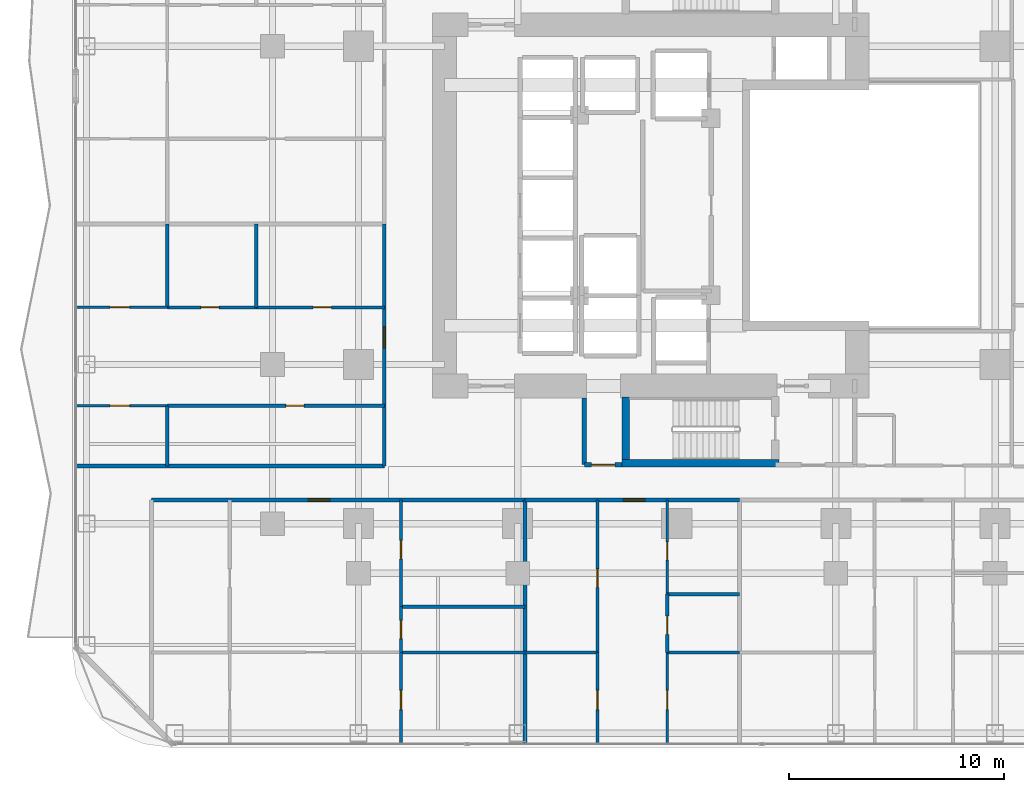
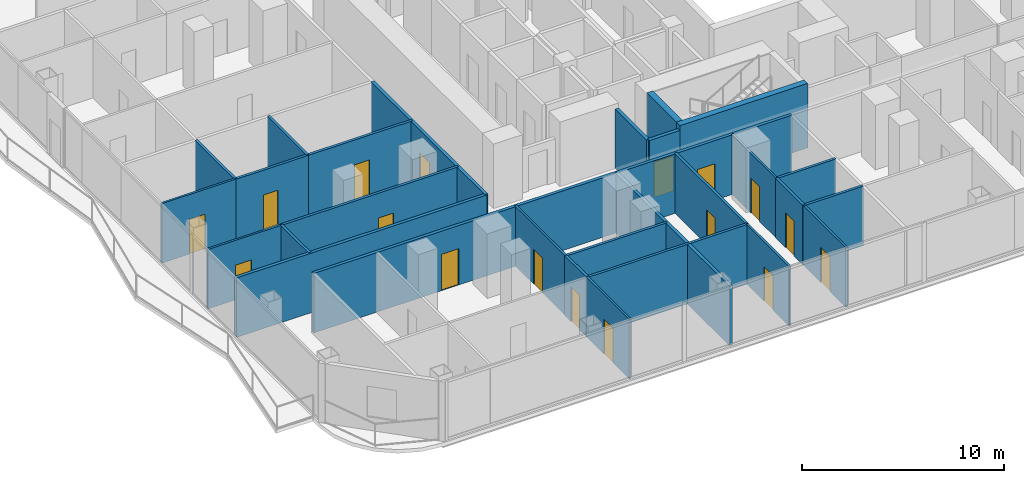
# One storey, part 19 of 29: 30 walls, 17 doors, 17 openings.
"""IFC4 building model written with IfcOpenShell, lengths in metres."""

from ifc_helpers import new_model, si_unit, direction, frame, frame_2d, origin, place, context, subcontext, project, spatial, rectangle, extrude, material, layer, layer_set, type_object, element, fill, save


model = new_model("IFC4")

# Units and contexts
model_context = context("Model", 3, precision=1e-05, world=origin(), true_north=direction((0.0, 1.0)))
body_context = subcontext(model_context, "Body", "Model", "MODEL_VIEW")
ifc_project = project(units=[si_unit("LENGTHUNIT", "METRE"), si_unit("AREAUNIT", "SQUARE_METRE"), si_unit("VOLUMEUNIT", "CUBIC_METRE"), si_unit("PLANEANGLEUNIT", "RADIAN"), si_unit("MASSUNIT", "GRAM", prefix="KILO")], contexts=[model_context])

# Site, building, storey
site_placement = place(None, origin())
site = spatial("IfcSite", under=ifc_project, at=site_placement, CompositionType="ELEMENT")
building_placement = place(site_placement, origin())
building = spatial("IfcBuilding", under=site, at=building_placement, Name="Khorvyn Point Tower", CompositionType="ELEMENT")
storey_placement = place(building_placement, frame((0.0, 0.0, 73.5)))
storey = spatial("IfcBuildingStorey", under=building, at=storey_placement, Name="L19", CompositionType="ELEMENT", Elevation=73.5)

# Wall, opening, door
ifc_material_1 = material(Name="Double acoustic gypsum on twin steel stud", Category="steel")
ifc_layer_1 = layer(ifc_material_1, 0.179931640625)
ifc_layer_set_1 = layer_set([ifc_layer_1], Name="Acoustic Double-Stud Apartment Demising Wall 180")
wall_type_1 = type_object("IfcWallType", Name="Acoustic Double-Stud Apartment Demising Wall 180", PredefinedType="PARTITIONING", material=ifc_layer_set_1)
wall_1_placement = place(storey_placement, frame((-24.419921875, -13.699951171875, 0.0), z_axis=(0.0, 0.0, 1.0), x_axis=(1.0, 0.0, 0.0)))
wall_1 = element("IfcWall", 1, at=wall_1_placement, inside=storey, type_object=wall_type_1, Name="Wall", PredefinedType="PARTITIONING", context=body_context, shape_type="SweptSolid", body=[
    extrude(rectangle(XDim=17.35888671875, YDim=0.179931640625, at=frame_2d((8.679443359375, 0.0))), origin(), (0.0, 0.0, 1.0), 3.60009765625),
])
opening_1_placement = place(wall_1_placement, frame((7.288330078125, 0.0, 0.0)))
opening_1 = element("IfcOpeningElement", 2, at=opening_1_placement, cuts=wall_1, Name="Opening ID-AP60", PredefinedType="OPENING", context=body_context, shape_type="SweptSolid", body=[
    extrude(rectangle(XDim=1.0, YDim=2.199951171875, at=frame_2d((0.5, 1.10009765625))), frame((0.0, 0.099853515625, 0.0), z_axis=(0.0, -1.0, 0.0), x_axis=(1.0, 0.0, 0.0)), (0.0, 0.0, 1.0), 0.199951171875),
])
ifc_material_2 = material(Name="Engineered hardwood fire-rated leaf", Category="wood")
door_type_1 = type_object("IfcDoorType", Name="Acoustic Solid-Core Timber Apartment Entrance Door 1000x2200", OperationType="NOTDEFINED", PredefinedType="DOOR", material=ifc_material_2)
door_1_placement = place(opening_1_placement, origin())
door_1 = element("IfcDoor", 3, at=door_1_placement, inside=storey, type_object=door_type_1, Name="Door", OperationType="SINGLE_SWING_RIGHT", OverallHeight=2.199951171875, OverallWidth=1.0, PredefinedType="DOOR", context=body_context, shape_type="SweptSolid", body=[
    extrude(rectangle(XDim=1.0, YDim=2.199951171875, at=frame_2d((0.5, 1.10009765625))), frame((0.0, 0.02490234375, 0.0), z_axis=(0.0, -1.0, 0.0), x_axis=(1.0, 0.0, 0.0)), (0.0, 0.0, 1.0), 0.050048828125),
])
fill(opening_1, door_1)

wall_2_placement = place(storey_placement, frame((-7.06103515625, -13.699951171875, 0.0), z_axis=(0.0, 0.0, 1.0), x_axis=(1.0, 0.0, 0.0)))
wall_2 = element("IfcWall", 4, at=wall_2_placement, inside=storey, type_object=wall_type_1, Name="Wall", PredefinedType="PARTITIONING", context=body_context, shape_type="SweptSolid", body=[
    extrude(rectangle(XDim=9.97900390625, YDim=0.179931640625, at=frame_2d((4.989501953125, 0.0))), origin(), (0.0, 0.0, 1.0), 3.60009765625),
])
opening_2_placement = place(wall_2_placement, frame((4.577880859375, 0.0, 0.0)))
opening_2 = element("IfcOpeningElement", 5, at=opening_2_placement, cuts=wall_2, Name="Opening ID-AP60", PredefinedType="OPENING", context=body_context, shape_type="SweptSolid", body=[
    extrude(rectangle(XDim=1.0, YDim=2.199951171875, at=frame_2d((0.5, 1.10009765625))), frame((0.0, 0.099853515625, 0.0), z_axis=(0.0, -1.0, 0.0), x_axis=(1.0, 0.0, 0.0)), (0.0, 0.0, 1.0), 0.199951171875),
])
door_2_placement = place(opening_2_placement, origin())
door_2 = element("IfcDoor", 6, at=door_2_placement, inside=storey, type_object=door_type_1, Name="Door", OperationType="SINGLE_SWING_LEFT", OverallHeight=2.199951171875, OverallWidth=1.0, PredefinedType="DOOR", context=body_context, shape_type="SweptSolid", body=[
    extrude(rectangle(XDim=1.0, YDim=2.199951171875, at=frame_2d((0.5, 1.10009765625))), frame((0.0, 0.02490234375, 0.0), z_axis=(0.0, -1.0, 0.0), x_axis=(1.0, 0.0, 0.0)), (0.0, 0.0, 1.0), 0.050048828125),
])
fill(opening_2, door_2)

wall_3_placement = place(storey_placement, frame((-13.60009765625, -12.1201171875, 0.0), z_axis=(0.0, 0.0, 1.0), x_axis=(0.0, 1.0, 0.0)))
wall_3 = element("IfcWall", 7, at=wall_3_placement, inside=storey, type_object=wall_type_1, Name="Wall", PredefinedType="PARTITIONING", context=body_context, shape_type="SweptSolid", body=[
    extrude(rectangle(XDim=11.2470703125, YDim=0.179931640625, at=frame_2d((5.62353515625, 0.0))), origin(), (0.0, 0.0, 1.0), 3.60009765625),
])
opening_3_placement = place(wall_3_placement, frame((5.47802734375, 0.0, 0.0)))
opening_3 = element("IfcOpeningElement", 8, at=opening_3_placement, cuts=wall_3, Name="Opening ID-AP60", PredefinedType="OPENING", context=body_context, shape_type="SweptSolid", body=[
    extrude(rectangle(XDim=1.0, YDim=2.199951171875, at=frame_2d((0.5, 1.10009765625))), frame((0.0, 0.099853515625, 0.0), z_axis=(0.0, -1.0, 0.0), x_axis=(1.0, 0.0, 0.0)), (0.0, 0.0, 1.0), 0.199951171875),
])
door_3_placement = place(opening_3_placement, origin())
door_3 = element("IfcDoor", 9, at=door_3_placement, inside=storey, type_object=door_type_1, Name="Door", OperationType="SINGLE_SWING_LEFT", OverallHeight=2.199951171875, OverallWidth=1.0, PredefinedType="DOOR", context=body_context, shape_type="SweptSolid", body=[
    extrude(rectangle(XDim=1.0, YDim=2.199951171875, at=frame_2d((0.5, 1.10009765625))), frame((0.0, 0.02490234375, 0.0), z_axis=(0.0, -1.0, 0.0), x_axis=(1.0, 0.0, 0.0)), (0.0, 0.0, 1.0), 0.050048828125),
])
fill(opening_3, door_3)

# Walls
wall_4_placement = place(storey_placement, frame((-7.06103515625, -25.030029296875, 0.0), z_axis=(0.0, 0.0, 1.0), x_axis=(0.0, 1.0, 0.0)))
element("IfcWall", 10, at=wall_4_placement, inside=storey, type_object=wall_type_1, Name="Wall", PredefinedType="PARTITIONING", context=body_context, shape_type="SweptSolid", body=[
    extrude(rectangle(XDim=11.330078125, YDim=0.179931640625, at=frame_2d((5.6650390625, 0.0))), origin(), (0.0, 0.0, 1.0), 3.60009765625),
])
wall_5_placement = place(storey_placement, frame((-27.929931640625, -12.1201171875, 0.0), z_axis=(0.0, 0.0, 1.0), x_axis=(1.0, 0.0, 0.0)))
element("IfcWall", 11, at=wall_5_placement, inside=storey, type_object=wall_type_1, Name="Wall", PredefinedType="PARTITIONING", context=body_context, shape_type="SweptSolid", body=[
    extrude(rectangle(XDim=14.329833984375, YDim=0.179931640625, at=frame_2d((7.1650390625, 0.0))), origin(), (0.0, 0.0, 1.0), 3.60009765625),
])

# Wall, opening, door
ifc_material_3 = material(Name="Concrete C40/50", Category="concrete")
ifc_layer_2 = layer(ifc_material_3, 0.199951171875)
ifc_layer_set_2 = layer_set([ifc_layer_2], Name="Concrete C40/50 Fire-Lobby Compartment Wall 200")
wall_type_2 = type_object("IfcWallType", Name="Concrete C40/50 Fire-Lobby Compartment Wall 200", PredefinedType="SOLIDWALL", material=ifc_layer_set_2)
wall_6_placement = place(storey_placement, frame((-4.300048828125, -12.06005859375, 0.0), z_axis=(0.0, 0.0, 1.0), x_axis=(1.0, 0.0, 0.0)))
wall_6 = element("IfcWall", 12, at=wall_6_placement, inside=storey, type_object=wall_type_2, Name="Wall", PredefinedType="SOLIDWALL", context=body_context, shape_type="SweptSolid", body=[
    extrude(rectangle(XDim=1.75, YDim=0.199951171875, at=frame_2d((0.875, 0.0))), origin(), (0.0, 0.0, 1.0), 3.60009765625),
])
opening_4_placement = place(wall_6_placement, frame((0.324951171875, 0.0, 0.0)))
opening_4 = element("IfcOpeningElement", 13, at=opening_4_placement, cuts=wall_6, Name="Opening ID-FL90", PredefinedType="OPENING", context=body_context, shape_type="SweptSolid", body=[
    extrude(rectangle(XDim=1.10009765625, YDim=2.14990234375, at=frame_2d((0.550048828125, 1.074951171875))), frame((0.0, 0.10986328125, 0.0), z_axis=(0.0, -1.0, 0.0), x_axis=(1.0, 0.0, 0.0)), (0.0, 0.0, 1.0), 0.219970703125),
])
ifc_material_4 = material(Name="Galvanised powder-coated steel", Category="steel")
door_type_2 = type_object("IfcDoorType", Name="Fire-Rated Steel Lobby and Stair Door 1100x2150", OperationType="NOTDEFINED", PredefinedType="DOOR", material=ifc_material_4)
door_4_placement = place(opening_4_placement, origin())
door_4 = element("IfcDoor", 14, at=door_4_placement, inside=storey, type_object=door_type_2, Name="Door", OperationType="SINGLE_SWING_RIGHT", OverallHeight=2.14990234375, OverallWidth=1.10009765625, PredefinedType="DOOR", context=body_context, shape_type="SweptSolid", body=[
    extrude(rectangle(XDim=1.10009765625, YDim=2.14990234375, at=frame_2d((0.550048828125, 1.074951171875))), frame((0.0, 0.02490234375, 0.0), z_axis=(0.0, -1.0, 0.0), x_axis=(1.0, 0.0, 0.0)), (0.0, 0.0, 1.0), 0.050048828125),
])
fill(opening_4, door_4)

# Walls
wall_7_placement = place(storey_placement, frame((-4.300048828125, -12.06005859375, 0.0), z_axis=(0.0, 0.0, 1.0), x_axis=(0.0, 1.0, 0.0)))
element("IfcWall", 15, at=wall_7_placement, inside=storey, type_object=wall_type_2, Name="Wall", PredefinedType="SOLIDWALL", context=body_context, shape_type="SweptSolid", body=[
    extrude(rectangle(XDim=3.110107421875, YDim=0.199951171875, at=frame_2d((1.55517578125, 0.0))), origin(), (0.0, 0.0, 1.0), 3.60009765625),
])
ifc_layer_3 = layer(ifc_material_3, 0.35009765625)
ifc_layer_set_3 = layer_set([ifc_layer_3], Name="Concrete C40/50 Stair Shaft Structural Wall 350")
wall_type_3 = type_object("IfcWallType", Name="Concrete C40/50 Stair Shaft Structural Wall 350", PredefinedType="SHEAR", material=ifc_layer_set_3)
wall_8_placement = place(storey_placement, frame((-2.554931640625, -12.0, 0.0), z_axis=(0.0, 0.0, 1.0), x_axis=(1.0, 0.0, 0.0)))
element("IfcWall", 16, at=wall_8_placement, inside=storey, type_object=wall_type_3, Name="L19 ST-01 South Shaft Wall", PredefinedType="SHEAR", context=body_context, shape_type="SweptSolid", body=[
    extrude(rectangle(XDim=7.309814453125, YDim=0.35009765625, at=frame_2d((3.65478515625, 0.0))), origin(), (0.0, 0.0, 1.0), 3.89990234375),
])
wall_9_placement = place(storey_placement, frame((-2.3798828125, -11.824951171875, 0.0), z_axis=(0.0, 0.0, 1.0), x_axis=(0.0, 1.0, 0.0)))
element("IfcWall", 17, at=wall_9_placement, inside=storey, type_object=wall_type_3, Name="L19 ST-01 West Shaft Wall", PredefinedType="SHEAR", context=body_context, shape_type="SweptSolid", body=[
    extrude(rectangle(XDim=2.925048828125, YDim=0.35009765625, at=frame_2d((1.46240234375, 0.0))), origin(), (0.0, 0.0, 1.0), 3.89990234375),
])

# Wall, opening, door
ifc_material_5 = material(Name="Gypsum plasterboard on steel stud", Category="steel")
ifc_layer_4 = layer(ifc_material_5, 0.1201171875)
ifc_layer_set_4 = layer_set([ifc_layer_4], Name="Gypsum Acoustic Stud Room Partition Wall 120")
wall_type_4 = type_object("IfcWallType", Name="Gypsum Acoustic Stud Room Partition Wall 120", PredefinedType="PARTITIONING", material=ifc_layer_set_4)
wall_10_placement = place(storey_placement, frame((-12.823974609375, -18.6630859375, 0.0), z_axis=(0.0, 0.0, 1.0), x_axis=(0.0, 1.0, 0.0)))
wall_10 = element("IfcWall", 18, at=wall_10_placement, inside=storey, type_object=wall_type_4, Name="Wall", PredefinedType="PARTITIONING", context=body_context, shape_type="SweptSolid", body=[
    extrude(rectangle(XDim=4.963134765625, YDim=0.1201171875, at=frame_2d((2.4814453125, 0.0))), origin(), (0.0, 0.0, 1.0), 3.60009765625),
])
opening_5_placement = place(wall_10_placement, frame((2.22900390625, 0.0, 0.0)))
opening_5 = element("IfcOpeningElement", 19, at=opening_5_placement, cuts=wall_10, Name="Opening ID-WC85", PredefinedType="OPENING", context=body_context, shape_type="SweptSolid", body=[
    extrude(rectangle(XDim=0.85009765625, YDim=2.10009765625, at=frame_2d((0.425048828125, 1.050048828125))), frame((0.0, 0.070068359375, 0.0), z_axis=(0.0, -1.0, 0.0), x_axis=(1.0, 0.0, 0.0)), (0.0, 0.0, 1.0), 0.14013671875),
])
ifc_material_6 = material(Name="High-pressure laminate on moisture-resistant core", Category="wood")
door_type_3 = type_object("IfcDoorType", Name="Moisture-Resistant Accessible Washroom Door 850x2100", OperationType="NOTDEFINED", PredefinedType="DOOR", material=ifc_material_6)
door_5_placement = place(opening_5_placement, origin())
door_5 = element("IfcDoor", 20, at=door_5_placement, inside=storey, type_object=door_type_3, Name="Door", OperationType="SINGLE_SWING_LEFT", OverallHeight=2.10009765625, OverallWidth=0.85009765625, PredefinedType="DOOR", context=body_context, shape_type="SweptSolid", body=[
    extrude(rectangle(XDim=0.85009765625, YDim=2.10009765625, at=frame_2d((0.425048828125, 1.050048828125))), frame((0.0, 0.02490234375, 0.0), z_axis=(0.0, -1.0, 0.0), x_axis=(1.0, 0.0, 0.0)), (0.0, 0.0, 1.0), 0.050048828125),
])
fill(opening_5, door_5)

wall_11_placement = place(storey_placement, frame((-12.823974609375, -25.030029296875, 0.0), z_axis=(0.0, 0.0, 1.0), x_axis=(0.0, 1.0, 0.0)))
wall_11 = element("IfcWall", 21, at=wall_11_placement, inside=storey, type_object=wall_type_4, Name="Wall", PredefinedType="PARTITIONING", context=body_context, shape_type="SweptSolid", body=[
    extrude(rectangle(XDim=4.239990234375, YDim=0.1201171875, at=frame_2d((2.1201171875, 0.0))), origin(), (0.0, 0.0, 1.0), 3.60009765625),
])
opening_6_placement = place(wall_11_placement, frame((1.581298828125, 0.0, 0.0)))
opening_6 = element("IfcOpeningElement", 22, at=opening_6_placement, cuts=wall_11, Name="Opening ID-RM90", PredefinedType="OPENING", context=body_context, shape_type="SweptSolid", body=[
    extrude(rectangle(XDim=0.89990234375, YDim=2.10009765625, at=frame_2d((0.449951171875, 1.050048828125))), frame((0.0, 0.070068359375, 0.0), z_axis=(0.0, -1.0, 0.0), x_axis=(1.0, 0.0, 0.0)), (0.0, 0.0, 1.0), 0.14013671875),
])
ifc_material_7 = material(Name="Engineered oak veneer timber", Category="wood")
door_type_4 = type_object("IfcDoorType", Name="Flush Engineered Timber Room Door 900x2100", OperationType="NOTDEFINED", PredefinedType="DOOR", material=ifc_material_7)
door_6_placement = place(opening_6_placement, origin())
door_6 = element("IfcDoor", 23, at=door_6_placement, inside=storey, type_object=door_type_4, Name="Door", OperationType="SINGLE_SWING_RIGHT", OverallHeight=2.10009765625, OverallWidth=0.89990234375, PredefinedType="DOOR", context=body_context, shape_type="SweptSolid", body=[
    extrude(rectangle(XDim=0.89990234375, YDim=2.10009765625, at=frame_2d((0.449951171875, 1.050048828125))), frame((0.0, 0.02490234375, 0.0), z_axis=(0.0, -1.0, 0.0), x_axis=(1.0, 0.0, 0.0)), (0.0, 0.0, 1.0), 0.050048828125),
])
fill(opening_6, door_6)

wall_12_placement = place(storey_placement, frame((-3.68798828125, -25.030029296875, 0.0), z_axis=(0.0, 0.0, 1.0), x_axis=(0.0, 1.0, 0.0)))
wall_12 = element("IfcWall", 24, at=wall_12_placement, inside=storey, type_object=wall_type_4, Name="Wall", PredefinedType="PARTITIONING", context=body_context, shape_type="SweptSolid", body=[
    extrude(rectangle(XDim=4.239990234375, YDim=0.1201171875, at=frame_2d((2.1201171875, 0.0))), origin(), (0.0, 0.0, 1.0), 3.60009765625),
])
opening_7_placement = place(wall_12_placement, frame((1.581298828125, 0.0, 0.0)))
opening_7 = element("IfcOpeningElement", 25, at=opening_7_placement, cuts=wall_12, Name="Opening ID-RM90", PredefinedType="OPENING", context=body_context, shape_type="SweptSolid", body=[
    extrude(rectangle(XDim=0.89990234375, YDim=2.10009765625, at=frame_2d((0.449951171875, 1.050048828125))), frame((0.0, 0.070068359375, 0.0), z_axis=(0.0, -1.0, 0.0), x_axis=(1.0, 0.0, 0.0)), (0.0, 0.0, 1.0), 0.14013671875),
])
door_7_placement = place(opening_7_placement, origin())
door_7 = element("IfcDoor", 26, at=door_7_placement, inside=storey, type_object=door_type_4, Name="Door", OperationType="SINGLE_SWING_LEFT", OverallHeight=2.10009765625, OverallWidth=0.89990234375, PredefinedType="DOOR", context=body_context, shape_type="SweptSolid", body=[
    extrude(rectangle(XDim=0.89990234375, YDim=2.10009765625, at=frame_2d((0.449951171875, 1.050048828125))), frame((0.0, 0.02490234375, 0.0), z_axis=(0.0, -1.0, 0.0), x_axis=(1.0, 0.0, 0.0)), (0.0, 0.0, 1.0), 0.050048828125),
])
fill(opening_7, door_7)

wall_13_placement = place(storey_placement, frame((-0.43798828125, -18.08203125, 0.0), z_axis=(0.0, 0.0, 1.0), x_axis=(0.0, 1.0, 0.0)))
wall_13 = element("IfcWall", 27, at=wall_13_placement, inside=storey, type_object=wall_type_4, Name="Wall", PredefinedType="PARTITIONING", context=body_context, shape_type="SweptSolid", body=[
    extrude(rectangle(XDim=4.382080078125, YDim=0.1201171875, at=frame_2d((2.19091796875, 0.0))), origin(), (0.0, 0.0, 1.0), 3.60009765625),
])
opening_8_placement = place(wall_13_placement, frame((1.587646484375, 0.0, 0.0)))
opening_8 = element("IfcOpeningElement", 28, at=opening_8_placement, cuts=wall_13, Name="Opening ID-WC85", PredefinedType="OPENING", context=body_context, shape_type="SweptSolid", body=[
    extrude(rectangle(XDim=0.85009765625, YDim=2.10009765625, at=frame_2d((0.425048828125, 1.050048828125))), frame((0.0, 0.070068359375, 0.0), z_axis=(0.0, -1.0, 0.0), x_axis=(1.0, 0.0, 0.0)), (0.0, 0.0, 1.0), 0.14013671875),
])
door_8_placement = place(opening_8_placement, origin())
door_8 = element("IfcDoor", 29, at=door_8_placement, inside=storey, type_object=door_type_3, Name="Door", OperationType="SINGLE_SWING_LEFT", OverallHeight=2.10009765625, OverallWidth=0.85009765625, PredefinedType="DOOR", context=body_context, shape_type="SweptSolid", body=[
    extrude(rectangle(XDim=0.85009765625, YDim=2.10009765625, at=frame_2d((0.425048828125, 1.050048828125))), frame((0.0, 0.02490234375, 0.0), z_axis=(0.0, -1.0, 0.0), x_axis=(1.0, 0.0, 0.0)), (0.0, 0.0, 1.0), 0.050048828125),
])
fill(opening_8, door_8)

wall_14_placement = place(storey_placement, frame((-0.43798828125, -25.030029296875, 0.0), z_axis=(0.0, 0.0, 1.0), x_axis=(0.0, 1.0, 0.0)))
wall_14 = element("IfcWall", 30, at=wall_14_placement, inside=storey, type_object=wall_type_4, Name="Wall", PredefinedType="PARTITIONING", context=body_context, shape_type="SweptSolid", body=[
    extrude(rectangle(XDim=4.239990234375, YDim=0.1201171875, at=frame_2d((2.1201171875, 0.0))), origin(), (0.0, 0.0, 1.0), 3.60009765625),
])
opening_9_placement = place(wall_14_placement, frame((1.581298828125, 0.0, 0.0)))
opening_9 = element("IfcOpeningElement", 31, at=opening_9_placement, cuts=wall_14, Name="Opening ID-RM90", PredefinedType="OPENING", context=body_context, shape_type="SweptSolid", body=[
    extrude(rectangle(XDim=0.89990234375, YDim=2.10009765625, at=frame_2d((0.449951171875, 1.050048828125))), frame((0.0, 0.070068359375, 0.0), z_axis=(0.0, -1.0, 0.0), x_axis=(1.0, 0.0, 0.0)), (0.0, 0.0, 1.0), 0.14013671875),
])
door_9_placement = place(opening_9_placement, origin())
door_9 = element("IfcDoor", 32, at=door_9_placement, inside=storey, type_object=door_type_4, Name="Door", OperationType="SINGLE_SWING_RIGHT", OverallHeight=2.10009765625, OverallWidth=0.89990234375, PredefinedType="DOOR", context=body_context, shape_type="SweptSolid", body=[
    extrude(rectangle(XDim=0.89990234375, YDim=2.10009765625, at=frame_2d((0.449951171875, 1.050048828125))), frame((0.0, 0.02490234375, 0.0), z_axis=(0.0, -1.0, 0.0), x_axis=(1.0, 0.0, 0.0)), (0.0, 0.0, 1.0), 0.050048828125),
])
fill(opening_9, door_9)

wall_15_placement = place(storey_placement, frame((-27.929931640625, -9.320068359375, 0.0), z_axis=(0.0, 0.0, 1.0), x_axis=(1.0, 0.0, 0.0)))
wall_15 = element("IfcWall", 33, at=wall_15_placement, inside=storey, type_object=wall_type_4, Name="Wall", PredefinedType="PARTITIONING", context=body_context, shape_type="SweptSolid", body=[
    extrude(rectangle(XDim=4.239990234375, YDim=0.1201171875, at=frame_2d((2.1201171875, 0.0))), origin(), (0.0, 0.0, 1.0), 3.60009765625),
])
opening_10_placement = place(wall_15_placement, frame((1.581298828125, 0.0, 0.0)))
opening_10 = element("IfcOpeningElement", 34, at=opening_10_placement, cuts=wall_15, Name="Opening ID-RM90", PredefinedType="OPENING", context=body_context, shape_type="SweptSolid", body=[
    extrude(rectangle(XDim=0.89990234375, YDim=2.10009765625, at=frame_2d((0.449951171875, 1.050048828125))), frame((0.0, 0.070068359375, 0.0), z_axis=(0.0, -1.0, 0.0), x_axis=(1.0, 0.0, 0.0)), (0.0, 0.0, 1.0), 0.14013671875),
])
door_10_placement = place(opening_10_placement, origin())
door_10 = element("IfcDoor", 35, at=door_10_placement, inside=storey, type_object=door_type_4, Name="Door", OperationType="SINGLE_SWING_LEFT", OverallHeight=2.10009765625, OverallWidth=0.89990234375, PredefinedType="DOOR", context=body_context, shape_type="SweptSolid", body=[
    extrude(rectangle(XDim=0.89990234375, YDim=2.10009765625, at=frame_2d((0.449951171875, 1.050048828125))), frame((0.0, 0.02490234375, 0.0), z_axis=(0.0, -1.0, 0.0), x_axis=(1.0, 0.0, 0.0)), (0.0, 0.0, 1.0), 0.050048828125),
])
fill(opening_10, door_10)

wall_16_placement = place(storey_placement, frame((-27.929931640625, -4.7470703125, 0.0), z_axis=(0.0, 0.0, 1.0), x_axis=(1.0, 0.0, 0.0)))
wall_16 = element("IfcWall", 36, at=wall_16_placement, inside=storey, type_object=wall_type_4, Name="Wall", PredefinedType="PARTITIONING", context=body_context, shape_type="SweptSolid", body=[
    extrude(rectangle(XDim=4.239990234375, YDim=0.1201171875, at=frame_2d((2.1201171875, 0.0))), origin(), (0.0, 0.0, 1.0), 3.60009765625),
])
opening_11_placement = place(wall_16_placement, frame((1.581298828125, 0.0, 0.0)))
opening_11 = element("IfcOpeningElement", 37, at=opening_11_placement, cuts=wall_16, Name="Opening ID-RM90", PredefinedType="OPENING", context=body_context, shape_type="SweptSolid", body=[
    extrude(rectangle(XDim=0.89990234375, YDim=2.10009765625, at=frame_2d((0.449951171875, 1.050048828125))), frame((0.0, 0.070068359375, 0.0), z_axis=(0.0, -1.0, 0.0), x_axis=(1.0, 0.0, 0.0)), (0.0, 0.0, 1.0), 0.14013671875),
])
door_11_placement = place(opening_11_placement, origin())
door_11 = element("IfcDoor", 38, at=door_11_placement, inside=storey, type_object=door_type_4, Name="Door", OperationType="SINGLE_SWING_RIGHT", OverallHeight=2.10009765625, OverallWidth=0.89990234375, PredefinedType="DOOR", context=body_context, shape_type="SweptSolid", body=[
    extrude(rectangle(XDim=0.89990234375, YDim=2.10009765625, at=frame_2d((0.449951171875, 1.050048828125))), frame((0.0, 0.02490234375, 0.0), z_axis=(0.0, -1.0, 0.0), x_axis=(1.0, 0.0, 0.0)), (0.0, 0.0, 1.0), 0.050048828125),
])
fill(opening_11, door_11)

ifc_material_8 = material(Name="Moisture-resistant gypsum and cement board", Category="gypsum")
ifc_layer_5 = layer(ifc_material_8, 0.14990234375)
ifc_layer_set_5 = layer_set([ifc_layer_5], Name="Moisture-Resistant Wet-Room Partition Wall 150")
wall_type_5 = type_object("IfcWallType", Name="Moisture-Resistant Wet-Room Partition Wall 150", PredefinedType="PARTITIONING", material=ifc_layer_set_5)
wall_17_placement = place(storey_placement, frame((-12.823974609375, -20.7900390625, 0.0), z_axis=(0.0, 0.0, 1.0), x_axis=(0.0, 1.0, 0.0)))
wall_17 = element("IfcWall", 39, at=wall_17_placement, inside=storey, type_object=wall_type_5, Name="Wall", PredefinedType="PARTITIONING", context=body_context, shape_type="SweptSolid", body=[
    extrude(rectangle(XDim=2.126953125, YDim=0.14990234375, at=frame_2d((1.0634765625, 0.0))), origin(), (0.0, 0.0, 1.0), 3.60009765625),
])
opening_12_placement = place(wall_17_placement, frame((0.638427734375, 0.0, 0.0)))
opening_12 = element("IfcOpeningElement", 40, at=opening_12_placement, cuts=wall_17, Name="Opening ID-WC85", PredefinedType="OPENING", context=body_context, shape_type="SweptSolid", body=[
    extrude(rectangle(XDim=0.85009765625, YDim=2.10009765625, at=frame_2d((0.425048828125, 1.050048828125))), frame((0.0, 0.0849609375, 0.0), z_axis=(0.0, -1.0, 0.0), x_axis=(1.0, 0.0, 0.0)), (0.0, 0.0, 1.0), 0.169921875),
])
door_12_placement = place(opening_12_placement, origin())
door_12 = element("IfcDoor", 41, at=door_12_placement, inside=storey, type_object=door_type_3, Name="Door", OperationType="SINGLE_SWING_RIGHT", OverallHeight=2.10009765625, OverallWidth=0.85009765625, PredefinedType="DOOR", context=body_context, shape_type="SweptSolid", body=[
    extrude(rectangle(XDim=0.85009765625, YDim=2.10009765625, at=frame_2d((0.425048828125, 1.050048828125))), frame((0.0, 0.02490234375, 0.0), z_axis=(0.0, -1.0, 0.0), x_axis=(1.0, 0.0, 0.0)), (0.0, 0.0, 1.0), 0.050048828125),
])
fill(opening_12, door_12)

wall_18_placement = place(storey_placement, frame((-3.68798828125, -20.7900390625, 0.0), z_axis=(0.0, 0.0, 1.0), x_axis=(0.0, 1.0, 0.0)))
wall_18 = element("IfcWall", 42, at=wall_18_placement, inside=storey, type_object=wall_type_5, Name="Wall", PredefinedType="PARTITIONING", context=body_context, shape_type="SweptSolid", body=[
    extrude(rectangle(XDim=7.090087890625, YDim=0.14990234375, at=frame_2d((3.544921875, 0.0))), origin(), (0.0, 0.0, 1.0), 3.60009765625),
])
opening_13_placement = place(wall_18_placement, frame((3.0302734375, 0.0, 0.0)))
opening_13 = element("IfcOpeningElement", 43, at=opening_13_placement, cuts=wall_18, Name="Opening ID-WC85", PredefinedType="OPENING", context=body_context, shape_type="SweptSolid", body=[
    extrude(rectangle(XDim=0.85009765625, YDim=2.10009765625, at=frame_2d((0.425048828125, 1.050048828125))), frame((0.0, 0.0849609375, 0.0), z_axis=(0.0, -1.0, 0.0), x_axis=(1.0, 0.0, 0.0)), (0.0, 0.0, 1.0), 0.169921875),
])
door_13_placement = place(opening_13_placement, origin())
door_13 = element("IfcDoor", 44, at=door_13_placement, inside=storey, type_object=door_type_3, Name="Door", OperationType="SINGLE_SWING_RIGHT", OverallHeight=2.10009765625, OverallWidth=0.85009765625, PredefinedType="DOOR", context=body_context, shape_type="SweptSolid", body=[
    extrude(rectangle(XDim=0.85009765625, YDim=2.10009765625, at=frame_2d((0.425048828125, 1.050048828125))), frame((0.0, 0.02490234375, 0.0), z_axis=(0.0, -1.0, 0.0), x_axis=(1.0, 0.0, 0.0)), (0.0, 0.0, 1.0), 0.050048828125),
])
fill(opening_13, door_13)

wall_19_placement = place(storey_placement, frame((-0.43798828125, -20.7900390625, 0.0), z_axis=(0.0, 0.0, 1.0), x_axis=(0.0, 1.0, 0.0)))
wall_19 = element("IfcWall", 45, at=wall_19_placement, inside=storey, type_object=wall_type_5, Name="Wall", PredefinedType="PARTITIONING", context=body_context, shape_type="SweptSolid", body=[
    extrude(rectangle(XDim=2.7080078125, YDim=0.14990234375, at=frame_2d((1.35400390625, 0.0))), origin(), (0.0, 0.0, 1.0), 3.60009765625),
])
opening_14_placement = place(wall_19_placement, frame((0.843505859375, 0.0, 0.0)))
opening_14 = element("IfcOpeningElement", 46, at=opening_14_placement, cuts=wall_19, Name="Opening ID-WC85", PredefinedType="OPENING", context=body_context, shape_type="SweptSolid", body=[
    extrude(rectangle(XDim=0.85009765625, YDim=2.10009765625, at=frame_2d((0.425048828125, 1.050048828125))), frame((0.0, 0.0849609375, 0.0), z_axis=(0.0, -1.0, 0.0), x_axis=(1.0, 0.0, 0.0)), (0.0, 0.0, 1.0), 0.169921875),
])
door_14_placement = place(opening_14_placement, origin())
door_14 = element("IfcDoor", 47, at=door_14_placement, inside=storey, type_object=door_type_3, Name="Door", OperationType="SINGLE_SWING_RIGHT", OverallHeight=2.10009765625, OverallWidth=0.85009765625, PredefinedType="DOOR", context=body_context, shape_type="SweptSolid", body=[
    extrude(rectangle(XDim=0.85009765625, YDim=2.10009765625, at=frame_2d((0.425048828125, 1.050048828125))), frame((0.0, 0.02490234375, 0.0), z_axis=(0.0, -1.0, 0.0), x_axis=(1.0, 0.0, 0.0)), (0.0, 0.0, 1.0), 0.050048828125),
])
fill(opening_14, door_14)

wall_20_placement = place(storey_placement, frame((-23.68994140625, -4.7470703125, 0.0), z_axis=(0.0, 0.0, 1.0), x_axis=(1.0, 0.0, 0.0)))
wall_20 = element("IfcWall", 48, at=wall_20_placement, inside=storey, type_object=wall_type_5, Name="Wall", PredefinedType="PARTITIONING", context=body_context, shape_type="SweptSolid", body=[
    extrude(rectangle(XDim=4.136962890625, YDim=0.14990234375, at=frame_2d((2.068359375, 0.0))), origin(), (0.0, 0.0, 1.0), 3.60009765625),
])
opening_15_placement = place(wall_20_placement, frame((1.55615234375, 0.0, 0.0)))
opening_15 = element("IfcOpeningElement", 49, at=opening_15_placement, cuts=wall_20, Name="Opening ID-WC85", PredefinedType="OPENING", context=body_context, shape_type="SweptSolid", body=[
    extrude(rectangle(XDim=0.85009765625, YDim=2.10009765625, at=frame_2d((0.425048828125, 1.050048828125))), frame((0.0, 0.0849609375, 0.0), z_axis=(0.0, -1.0, 0.0), x_axis=(1.0, 0.0, 0.0)), (0.0, 0.0, 1.0), 0.169921875),
])
door_15_placement = place(opening_15_placement, origin())
door_15 = element("IfcDoor", 50, at=door_15_placement, inside=storey, type_object=door_type_3, Name="Door", OperationType="SINGLE_SWING_RIGHT", OverallHeight=2.10009765625, OverallWidth=0.85009765625, PredefinedType="DOOR", context=body_context, shape_type="SweptSolid", body=[
    extrude(rectangle(XDim=0.85009765625, YDim=2.10009765625, at=frame_2d((0.425048828125, 1.050048828125))), frame((0.0, 0.02490234375, 0.0), z_axis=(0.0, -1.0, 0.0), x_axis=(1.0, 0.0, 0.0)), (0.0, 0.0, 1.0), 0.050048828125),
])
fill(opening_15, door_15)

wall_21_placement = place(storey_placement, frame((-19.552978515625, -4.7470703125, 0.0), z_axis=(0.0, 0.0, 1.0), x_axis=(1.0, 0.0, 0.0)))
wall_21 = element("IfcWall", 51, at=wall_21_placement, inside=storey, type_object=wall_type_5, Name="Wall", PredefinedType="PARTITIONING", context=body_context, shape_type="SweptSolid", body=[
    extrude(rectangle(XDim=5.952880859375, YDim=0.14990234375, at=frame_2d((2.9765625, 0.0))), origin(), (0.0, 0.0, 1.0), 3.60009765625),
])
opening_16_placement = place(wall_21_placement, frame((2.64013671875, 0.0, 0.0)))
opening_16 = element("IfcOpeningElement", 52, at=opening_16_placement, cuts=wall_21, Name="Opening ID-WC85", PredefinedType="OPENING", context=body_context, shape_type="SweptSolid", body=[
    extrude(rectangle(XDim=0.85009765625, YDim=2.10009765625, at=frame_2d((0.425048828125, 1.050048828125))), frame((0.0, 0.0849609375, 0.0), z_axis=(0.0, -1.0, 0.0), x_axis=(1.0, 0.0, 0.0)), (0.0, 0.0, 1.0), 0.169921875),
])
door_16_placement = place(opening_16_placement, origin())
door_16 = element("IfcDoor", 53, at=door_16_placement, inside=storey, type_object=door_type_3, Name="Door", OperationType="SINGLE_SWING_LEFT", OverallHeight=2.10009765625, OverallWidth=0.85009765625, PredefinedType="DOOR", context=body_context, shape_type="SweptSolid", body=[
    extrude(rectangle(XDim=0.85009765625, YDim=2.10009765625, at=frame_2d((0.425048828125, 1.050048828125))), frame((0.0, 0.02490234375, 0.0), z_axis=(0.0, -1.0, 0.0), x_axis=(1.0, 0.0, 0.0)), (0.0, 0.0, 1.0), 0.050048828125),
])
fill(opening_16, door_16)

wall_22_placement = place(storey_placement, frame((-23.68994140625, -9.320068359375, 0.0), z_axis=(0.0, 0.0, 1.0), x_axis=(1.0, 0.0, 0.0)))
wall_22 = element("IfcWall", 54, at=wall_22_placement, inside=storey, type_object=wall_type_5, Name="Wall", PredefinedType="PARTITIONING", context=body_context, shape_type="SweptSolid", body=[
    extrude(rectangle(XDim=10.08984375, YDim=0.14990234375, at=frame_2d((5.044921875, 0.0))), origin(), (0.0, 0.0, 1.0), 3.60009765625),
])
opening_17_placement = place(wall_22_placement, frame((5.511962890625, 0.0, 0.0)))
opening_17 = element("IfcOpeningElement", 55, at=opening_17_placement, cuts=wall_22, Name="Opening ID-WC85", PredefinedType="OPENING", context=body_context, shape_type="SweptSolid", body=[
    extrude(rectangle(XDim=0.85009765625, YDim=2.10009765625, at=frame_2d((0.425048828125, 1.050048828125))), frame((0.0, 0.0849609375, 0.0), z_axis=(0.0, -1.0, 0.0), x_axis=(1.0, 0.0, 0.0)), (0.0, 0.0, 1.0), 0.169921875),
])
door_17_placement = place(opening_17_placement, origin())
door_17 = element("IfcDoor", 56, at=door_17_placement, inside=storey, type_object=door_type_3, Name="Door", OperationType="SINGLE_SWING_RIGHT", OverallHeight=2.10009765625, OverallWidth=0.85009765625, PredefinedType="DOOR", context=body_context, shape_type="SweptSolid", body=[
    extrude(rectangle(XDim=0.85009765625, YDim=2.10009765625, at=frame_2d((0.425048828125, 1.050048828125))), frame((0.0, 0.02490234375, 0.0), z_axis=(0.0, -1.0, 0.0), x_axis=(1.0, 0.0, 0.0)), (0.0, 0.0, 1.0), 0.050048828125),
])
fill(opening_17, door_17)

# Walls
for number, where, z_axis, x_axis, name in (
    (57, (-12.823974609375, -18.6630859375, 0.0), (0.0, 0.0, 1.0), (1.0, 0.0, 0.0), "Wall"),
    (58, (-12.823974609375, -20.7900390625, 0.0), (0.0, 0.0, 1.0), (1.0, 0.0, 0.0), "Wall"),
):
    element("IfcWall", number, at=place(storey_placement, frame(where, z_axis=z_axis, x_axis=x_axis)), inside=storey, type_object=wall_type_5, Name=name, PredefinedType="PARTITIONING", context=body_context, shape_type="SweptSolid", body=[
        extrude(rectangle(XDim=5.762939453125, YDim=0.14990234375, at=frame_2d((2.88134765625, 0.0))), origin(), (0.0, 0.0, 1.0), 3.60009765625),
    ])
wall_23_placement = place(storey_placement, frame((-7.06103515625, -20.7900390625, 0.0), z_axis=(0.0, 0.0, 1.0), x_axis=(1.0, 0.0, 0.0)))
element("IfcWall", 59, at=wall_23_placement, inside=storey, type_object=wall_type_5, Name="Wall", PredefinedType="PARTITIONING", context=body_context, shape_type="SweptSolid", body=[
    extrude(rectangle(XDim=3.373046875, YDim=0.14990234375, at=frame_2d((1.6865234375, 0.0))), origin(), (0.0, 0.0, 1.0), 3.60009765625),
])
for number, where, z_axis, x_axis, name in (
    (60, (-0.43798828125, -18.08203125, 0.0), (0.0, 0.0, 1.0), (1.0, 0.0, 0.0), "Wall"),
    (61, (-0.43798828125, -20.7900390625, 0.0), (0.0, 0.0, 1.0), (1.0, 0.0, 0.0), "Wall"),
):
    element("IfcWall", number, at=place(storey_placement, frame(where, z_axis=z_axis, x_axis=x_axis)), inside=storey, type_object=wall_type_5, Name=name, PredefinedType="PARTITIONING", context=body_context, shape_type="SweptSolid", body=[
        extrude(rectangle(XDim=3.35595703125, YDim=0.14990234375, at=frame_2d((1.677978515625, 0.0))), origin(), (0.0, 0.0, 1.0), 3.60009765625),
    ])
wall_24_placement = place(storey_placement, frame((-19.552978515625, -4.7470703125, 0.0), z_axis=(0.0, 0.0, 1.0), x_axis=(0.0, 1.0, 0.0)))
element("IfcWall", 62, at=wall_24_placement, inside=storey, type_object=wall_type_5, Name="Wall", PredefinedType="PARTITIONING", context=body_context, shape_type="SweptSolid", body=[
    extrude(rectangle(XDim=3.8740234375, YDim=0.14990234375, at=frame_2d((1.93701171875, 0.0))), origin(), (0.0, 0.0, 1.0), 3.60009765625),
])
wall_25_placement = place(storey_placement, frame((-23.68994140625, -12.1201171875, 0.0), z_axis=(0.0, 0.0, 1.0), x_axis=(0.0, 1.0, 0.0)))
element("IfcWall", 63, at=wall_25_placement, inside=storey, type_object=wall_type_5, Name="Wall", PredefinedType="PARTITIONING", context=body_context, shape_type="SweptSolid", body=[
    extrude(rectangle(XDim=2.800048828125, YDim=0.14990234375, at=frame_2d((1.39990234375, 0.0))), origin(), (0.0, 0.0, 1.0), 3.60009765625),
])
wall_26_placement = place(storey_placement, frame((-23.68994140625, -4.7470703125, 0.0), z_axis=(0.0, 0.0, 1.0), x_axis=(0.0, 1.0, 0.0)))
element("IfcWall", 64, at=wall_26_placement, inside=storey, type_object=wall_type_5, Name="Wall", PredefinedType="PARTITIONING", context=body_context, shape_type="SweptSolid", body=[
    extrude(rectangle(XDim=3.8740234375, YDim=0.14990234375, at=frame_2d((1.93701171875, 0.0))), origin(), (0.0, 0.0, 1.0), 3.60009765625),
])

save(model, "model.ifc")
